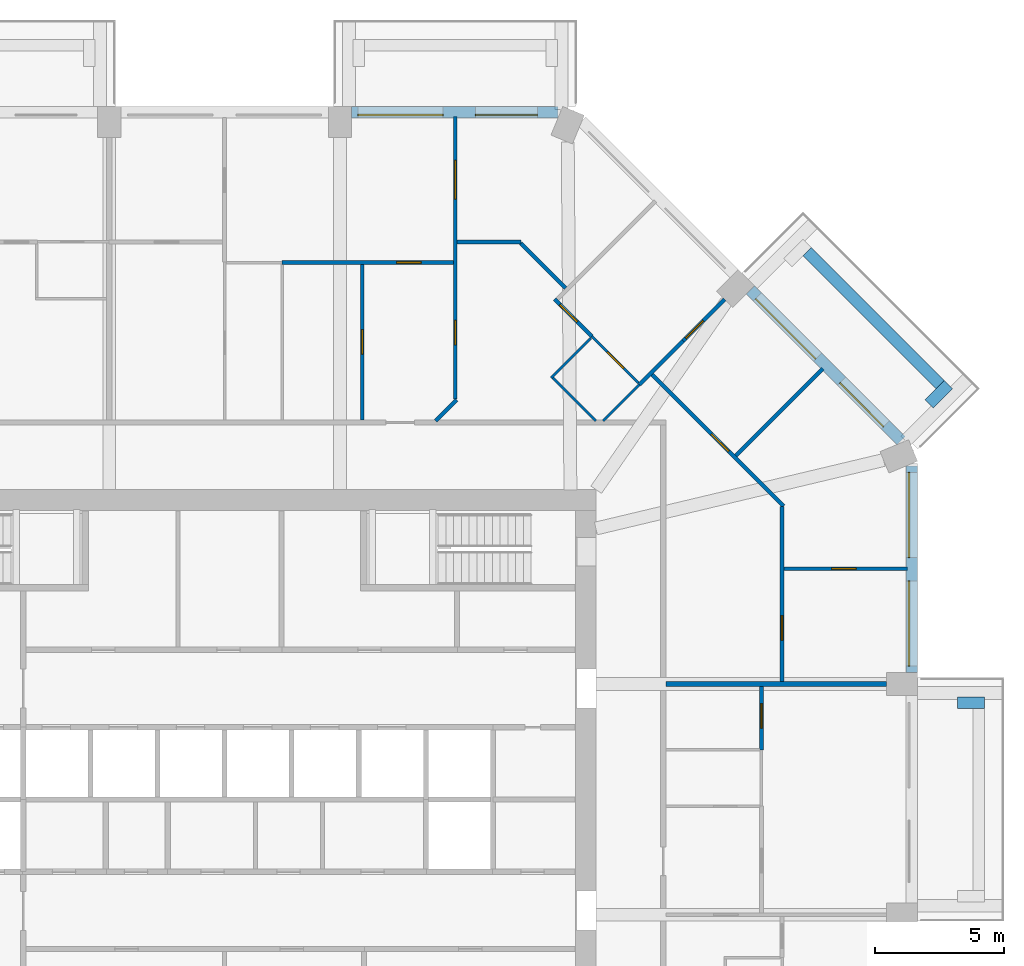
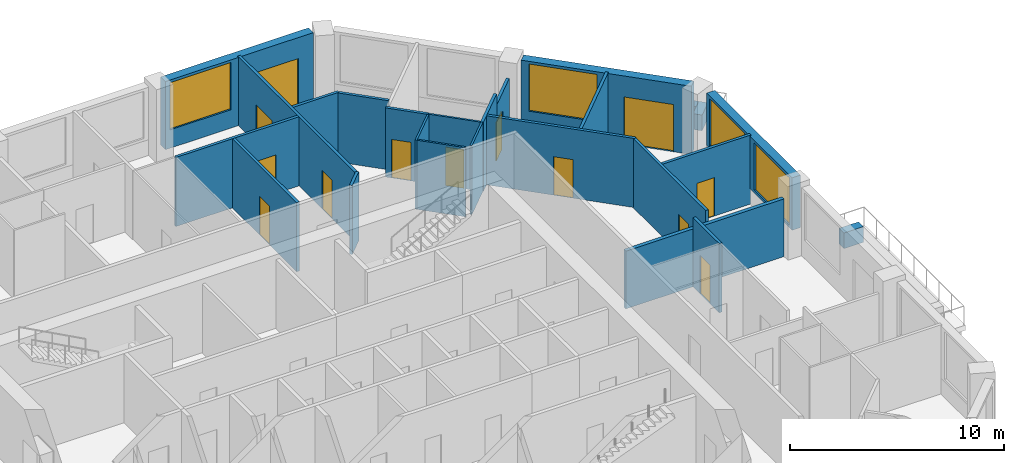
# One storey, part 10 of 13: 25 walls, 13 doors, 4 windows, 17 openings.
"""IFC4 building model written with IfcOpenShell, lengths in metres."""

from ifc_helpers import new_model, si_unit, direction, frame, frame_2d, origin, place, context, subcontext, project, spatial, rectangle, extrude, material, layer, layer_set, type_object, element, fill, save


model = new_model("IFC4")

# Units and contexts
model_context = context("Model", 3, precision=1e-05, world=origin(), true_north=direction((0.0, 1.0)))
body_context = subcontext(model_context, "Body", "Model", "MODEL_VIEW")
ifc_project = project(units=[si_unit("LENGTHUNIT", "METRE"), si_unit("AREAUNIT", "SQUARE_METRE"), si_unit("VOLUMEUNIT", "CUBIC_METRE"), si_unit("PLANEANGLEUNIT", "RADIAN"), si_unit("MASSUNIT", "GRAM", prefix="KILO")], contexts=[model_context])

# Site, building, storey
site_placement = place(None, origin())
site = spatial("IfcSite", under=ifc_project, at=site_placement, CompositionType="ELEMENT")
building_placement = place(site_placement, origin())
building = spatial("IfcBuilding", under=site, at=building_placement, Name="Msitu Wima Residences", CompositionType="ELEMENT")
storey_placement = place(building_placement, frame((0.0, 0.0, 114.89990234375)))
storey = spatial("IfcBuildingStorey", under=building, at=storey_placement, Name="L26", CompositionType="ELEMENT", Elevation=114.89990234375)

# Walls
ifc_material_1 = material(Name="Facing brick")
ifc_layer_1 = layer(ifc_material_1, 0.06494140625, Name="Facing brick")
ifc_material_2 = material(Name="Concrete C40/50", Category="concrete")
ifc_layer_2 = layer(ifc_material_2, 0.156005859375, Name="Concrete C40/50")
ifc_material_3 = material(Name="Waterproofing membrane")
ifc_layer_3 = layer(ifc_material_3, 0.00390625, Name="Waterproofing membrane")
ifc_material_4 = material(Name="Planting soil and planting")
ifc_layer_4 = layer(ifc_material_4, 0.22509765625, Name="Planting soil and planting")
ifc_layer_set_1 = layer_set([ifc_layer_1, ifc_layer_2, ifc_layer_3, ifc_layer_4], Name="Concrete C40/50")
wall_type_1 = type_object("IfcWallType", Name="Balcony planter PLANTER PL450", PredefinedType="USERDEFINED", material=ifc_layer_set_1)
wall_1_placement = place(storey_placement, frame((28.39990234375, 3.74365234375, 0.0), z_axis=(0.0, 0.0, 1.0), x_axis=(1.0, 0.0, 0.0)))
element("IfcWall", 1, at=wall_1_placement, inside=storey, type_object=wall_type_1, Name="Balcony planter E1 L26", ObjectType="PLANTER", PredefinedType="USERDEFINED", context=body_context, shape_type="SweptSolid", body=[
    extrude(rectangle(XDim=1.050048828125, YDim=0.449951171875, at=frame_2d((0.52490234375, 0.0))), origin(), (0.0, 0.0, 1.0), 0.900146484375),
])
wall_2_placement = place(storey_placement, frame((27.725830078125, 16.0751953125, 0.0), z_axis=(0.0, 0.0, 1.0), x_axis=(-0.707106781187, 0.707106781187, 0.0)))
element("IfcWall", 2, at=wall_2_placement, inside=storey, type_object=wall_type_1, Name="Balcony planter NE0 L26", ObjectType="PLANTER", PredefinedType="USERDEFINED", context=body_context, shape_type="SweptSolid", body=[
    extrude(rectangle(XDim=7.288330078125, YDim=0.449951171875, at=frame_2d((3.64404296875, 0.0))), origin(), (0.0, 0.0, 1.0), 0.900146484375),
])
wall_3_placement = place(storey_placement, frame((27.301513671875, 15.332763671875, 0.0), z_axis=(0.0, 0.0, 1.0), x_axis=(0.707106781187, 0.707106781187, 0.0)))
element("IfcWall", 3, at=wall_3_placement, inside=storey, type_object=wall_type_1, Name="Balcony planter NE0 L26", ObjectType="PLANTER", PredefinedType="USERDEFINED", context=body_context, shape_type="SweptSolid", body=[
    extrude(rectangle(XDim=1.050048828125, YDim=0.449951171875, at=frame_2d((0.52490234375, 0.0))), origin(), (0.0, 0.0, 1.0), 0.900146484375),
])

# Wall, openings, windows
ifc_material_5 = material(Name="Brick (red buff mix)", Category="masonry")
ifc_layer_5 = layer(ifc_material_5, 0.449951171875)
ifc_layer_set_2 = layer_set([ifc_layer_5], Name="Brick (red buff mix)")
wall_type_2 = type_object("IfcWallType", Name="Brick infill wall BW450", PredefinedType="SOLIDWALL", material=ifc_layer_set_2)
wall_4_placement = place(storey_placement, frame((26.625, 4.918701171875, 0.900146484375), z_axis=(0.0, 0.0, 1.0), x_axis=(0.0, 1.0, 0.0)))
wall_4 = element("IfcWall", 4, at=wall_4_placement, inside=storey, type_object=wall_type_2, Name="Brick infill wall L26 E2", PredefinedType="SOLIDWALL", context=body_context, shape_type="SweptSolid", body=[
    extrude(rectangle(XDim=8.0, YDim=0.449951171875, at=frame_2d((4.0, 0.0))), origin(), (0.0, 0.0, 1.0), 3.0),
])
opening_1_placement = place(wall_4_placement, frame((0.25, 0.0, 0.14990234375)))
opening_1 = element("IfcOpeningElement", 5, at=opening_1_placement, cuts=wall_4, Name="Opening W25-26.004", PredefinedType="OPENING", context=body_context, shape_type="SweptSolid", body=[
    extrude(rectangle(XDim=3.300048828125, YDim=2.699951171875, at=frame_2d((1.64990234375, 1.35009765625))), frame((0.0, 0.23486328125, 0.0), z_axis=(0.0, -1.0, 0.0), x_axis=(1.0, 0.0, 0.0)), (0.0, 0.0, 1.0), 0.469970703125),
])
opening_2_placement = place(wall_4_placement, frame((4.4501953125, 0.0, 0.14990234375)))
opening_2 = element("IfcOpeningElement", 6, at=opening_2_placement, cuts=wall_4, Name="Opening W25-26.005", PredefinedType="OPENING", context=body_context, shape_type="SweptSolid", body=[
    extrude(rectangle(XDim=3.300048828125, YDim=2.699951171875, at=frame_2d((1.64990234375, 1.35009765625))), frame((0.0, 0.23486328125, 0.0), z_axis=(0.0, -1.0, 0.0), x_axis=(1.0, 0.0, 0.0)), (0.0, 0.0, 1.0), 0.469970703125),
])
ifc_material_6 = material(Name="Anodised aluminium, bronze finish, clear low-emissivity double glazing", Category="aluminium")
window_type = type_object("IfcWindowType", Name="Window W3300x2700", PartitioningType="DOUBLE_PANEL_VERTICAL", PredefinedType="WINDOW", material=ifc_material_6)
window_1_placement = place(opening_1_placement, origin())
window_1 = element("IfcWindow", 7, at=window_1_placement, inside=storey, type_object=window_type, Name="Window L26 E2.1", OverallHeight=2.699951171875, OverallWidth=3.300048828125, PartitioningType="SINGLE_PANEL", PredefinedType="WINDOW", context=body_context, shape_type="SweptSolid", body=[
    extrude(rectangle(XDim=3.300048828125, YDim=2.699951171875, at=frame_2d((1.64990234375, 1.35009765625))), frame((0.0, 0.135009765625, 0.0), z_axis=(0.0, -1.0, 0.0), x_axis=(1.0, 0.0, 0.0)), (0.0, 0.0, 1.0), 0.06005859375),
])
fill(opening_1, window_1)
window_2_placement = place(opening_2_placement, origin())
window_2 = element("IfcWindow", 8, at=window_2_placement, inside=storey, type_object=window_type, Name="Window L26 E2.2", OverallHeight=2.699951171875, OverallWidth=3.300048828125, PartitioningType="SINGLE_PANEL", PredefinedType="WINDOW", context=body_context, shape_type="SweptSolid", body=[
    extrude(rectangle(XDim=3.300048828125, YDim=2.699951171875, at=frame_2d((1.64990234375, 1.35009765625))), frame((0.0, 0.135009765625, 0.0), z_axis=(0.0, -1.0, 0.0), x_axis=(1.0, 0.0, 0.0)), (0.0, 0.0, 1.0), 0.06005859375),
])
fill(opening_2, window_2)

# Wall, openings, door, window
wall_5_placement = place(storey_placement, frame((26.214599609375, 13.909423828125, 0.0), z_axis=(0.0, 0.0, 1.0), x_axis=(-0.707106781187, 0.707106781187, 0.0)))
wall_5 = element("IfcWall", 9, at=wall_5_placement, inside=storey, type_object=wall_type_2, Name="Brick infill wall L26 NE0", PredefinedType="SOLIDWALL", context=body_context, shape_type="SweptSolid", body=[
    extrude(rectangle(XDim=8.251220703125, YDim=0.449951171875, at=frame_2d((4.12548828125, 0.0))), origin(), (0.0, 0.0, 1.0), 3.900146484375),
])
opening_3_placement = place(wall_5_placement, frame((0.86279296875, 0.0, 0.0)))
opening_3 = element("IfcOpeningElement", 10, at=opening_3_placement, cuts=wall_5, Name="Opening D25-26.004", PredefinedType="OPENING", context=body_context, shape_type="SweptSolid", body=[
    extrude(rectangle(XDim=2.39990234375, YDim=2.699951171875, at=frame_2d((1.199951171875, 1.35009765625))), frame((0.0, 0.23486328125, 0.0), z_axis=(0.0, -1.0, 0.0), x_axis=(1.0, 0.0, 0.0)), (0.0, 0.0, 1.0), 0.469970703125),
])
opening_4_placement = place(wall_5_placement, frame((4.57568359375, 0.0, 1.050048828125)))
opening_4 = element("IfcOpeningElement", 11, at=opening_4_placement, cuts=wall_5, Name="Opening W25-26.010", PredefinedType="OPENING", context=body_context, shape_type="SweptSolid", body=[
    extrude(rectangle(XDim=3.300048828125, YDim=2.699951171875, at=frame_2d((1.64990234375, 1.35009765625))), frame((0.0, 0.23486328125, 0.0), z_axis=(0.0, -1.0, 0.0), x_axis=(1.0, 0.0, 0.0)), (0.0, 0.0, 1.0), 0.469970703125),
])
door_type_1 = type_object("IfcDoorType", Name="Balcony door D2400x2700", OperationType="SLIDING_TO_LEFT", PredefinedType="DOOR", material=ifc_material_6)
door_1_placement = place(opening_3_placement, origin())
door_1 = element("IfcDoor", 12, at=door_1_placement, inside=storey, type_object=door_type_1, Name="Balcony door L26 NE0", OperationType="SINGLE_SWING_LEFT", OverallHeight=2.699951171875, OverallWidth=2.39990234375, PredefinedType="DOOR", context=body_context, shape_type="SweptSolid", body=[
    extrude(rectangle(XDim=2.39990234375, YDim=2.699951171875, at=frame_2d((1.199951171875, 1.35009765625))), frame((0.0, 0.1298828125, 0.0), z_axis=(0.0, -1.0, 0.0), x_axis=(1.0, 0.0, 0.0)), (0.0, 0.0, 1.0), 0.050048828125),
])
fill(opening_3, door_1)
window_3_placement = place(opening_4_placement, origin())
window_3 = element("IfcWindow", 13, at=window_3_placement, inside=storey, type_object=window_type, Name="Window L26 NE0.2", OverallHeight=2.699951171875, OverallWidth=3.300048828125, PartitioningType="SINGLE_PANEL", PredefinedType="WINDOW", context=body_context, shape_type="SweptSolid", body=[
    extrude(rectangle(XDim=3.300048828125, YDim=2.699951171875, at=frame_2d((1.64990234375, 1.35009765625))), frame((0.0, 0.135009765625, 0.0), z_axis=(0.0, -1.0, 0.0), x_axis=(1.0, 0.0, 0.0)), (0.0, 0.0, 1.0), 0.06005859375),
])
fill(opening_4, window_3)

wall_6_placement = place(storey_placement, frame((12.918701171875, 26.625, 0.0), z_axis=(0.0, 0.0, 1.0), x_axis=(-1.0, 0.0, 0.0)))
wall_6 = element("IfcWall", 14, at=wall_6_placement, inside=storey, type_object=wall_type_2, Name="Brick infill wall L26 N0", PredefinedType="SOLIDWALL", context=body_context, shape_type="SweptSolid", body=[
    extrude(rectangle(XDim=8.0, YDim=0.449951171875, at=frame_2d((4.0, 0.0))), origin(), (0.0, 0.0, 1.0), 3.900146484375),
])
opening_5_placement = place(wall_6_placement, frame((0.800048828125, 0.0, 0.0)))
opening_5 = element("IfcOpeningElement", 15, at=opening_5_placement, cuts=wall_6, Name="Opening D25-26.002", PredefinedType="OPENING", context=body_context, shape_type="SweptSolid", body=[
    extrude(rectangle(XDim=2.39990234375, YDim=2.699951171875, at=frame_2d((1.199951171875, 1.35009765625))), frame((0.0, 0.23486328125, 0.0), z_axis=(0.0, -1.0, 0.0), x_axis=(1.0, 0.0, 0.0)), (0.0, 0.0, 1.0), 0.469970703125),
])
opening_6_placement = place(wall_6_placement, frame((4.4501953125, 0.0, 1.050048828125)))
opening_6 = element("IfcOpeningElement", 16, at=opening_6_placement, cuts=wall_6, Name="Opening W25-26.006", PredefinedType="OPENING", context=body_context, shape_type="SweptSolid", body=[
    extrude(rectangle(XDim=3.300048828125, YDim=2.699951171875, at=frame_2d((1.64990234375, 1.35009765625))), frame((0.0, 0.23486328125, 0.0), z_axis=(0.0, -1.0, 0.0), x_axis=(1.0, 0.0, 0.0)), (0.0, 0.0, 1.0), 0.469970703125),
])
door_2_placement = place(opening_5_placement, origin())
door_2 = element("IfcDoor", 17, at=door_2_placement, inside=storey, type_object=door_type_1, Name="Balcony door L26 N0", OperationType="SINGLE_SWING_LEFT", OverallHeight=2.699951171875, OverallWidth=2.39990234375, PredefinedType="DOOR", context=body_context, shape_type="SweptSolid", body=[
    extrude(rectangle(XDim=2.39990234375, YDim=2.699951171875, at=frame_2d((1.199951171875, 1.35009765625))), frame((0.0, 0.1298828125, 0.0), z_axis=(0.0, -1.0, 0.0), x_axis=(1.0, 0.0, 0.0)), (0.0, 0.0, 1.0), 0.050048828125),
])
fill(opening_5, door_2)
window_4_placement = place(opening_6_placement, origin())
window_4 = element("IfcWindow", 18, at=window_4_placement, inside=storey, type_object=window_type, Name="Window L26 N0.2", OverallHeight=2.699951171875, OverallWidth=3.300048828125, PartitioningType="SINGLE_PANEL", PredefinedType="WINDOW", context=body_context, shape_type="SweptSolid", body=[
    extrude(rectangle(XDim=3.300048828125, YDim=2.699951171875, at=frame_2d((1.64990234375, 1.35009765625))), frame((0.0, 0.135009765625, 0.0), z_axis=(0.0, -1.0, 0.0), x_axis=(1.0, 0.0, 0.0)), (0.0, 0.0, 1.0), 0.06005859375),
])
fill(opening_6, window_4)

# Wall, opening, door
ifc_material_7 = material(Name="Plaster")
ifc_layer_6 = layer(ifc_material_7, 0.011962890625, Name="Plaster")
ifc_material_8 = material(Name="Concrete blockwork", Category="masonry")
ifc_layer_7 = layer(ifc_material_8, 0.1259765625, Name="Concrete blockwork")
ifc_layer_8 = layer(ifc_material_7, 0.011962890625, Name="Plaster")
ifc_layer_set_3 = layer_set([ifc_layer_6, ifc_layer_7, ifc_layer_8], Name="Concrete blockwork")
wall_type_3 = type_object("IfcWallType", Name="Partition PW150", PredefinedType="PARTITIONING", material=ifc_layer_set_3)
wall_7_placement = place(storey_placement, frame((2.21728515625, 20.800048828125, 0.0), z_axis=(0.0, 0.0, 1.0), x_axis=(1.0, 0.0, 0.0)))
wall_7 = element("IfcWall", 19, at=wall_7_placement, inside=storey, type_object=wall_type_3, Name="Partition", PredefinedType="PARTITIONING", context=body_context, shape_type="SweptSolid", body=[
    extrude(rectangle(XDim=6.64501953125, YDim=0.14990234375, at=frame_2d((3.322509765625, 0.0))), origin(), (0.0, 0.0, 1.0), 3.9501953125),
])
opening_7_placement = place(wall_7_placement, frame((4.449951171875, 0.0, 0.0)))
opening_7 = element("IfcOpeningElement", 20, at=opening_7_placement, cuts=wall_7, Name="Opening D25-26.053", PredefinedType="OPENING", context=body_context, shape_type="SweptSolid", body=[
    extrude(rectangle(XDim=0.949951171875, YDim=2.199951171875, at=frame_2d((0.47509765625, 1.10009765625))), frame((0.0, 0.0849609375, 0.0), z_axis=(0.0, -1.0, 0.0), x_axis=(1.0, 0.0, 0.0)), (0.0, 0.0, 1.0), 0.169921875),
])
ifc_material_9 = material(Name="Timber flush door", Category="wood")
door_type_2 = type_object("IfcDoorType", Name="Room door D12 950x2200", OperationType="SINGLE_SWING_LEFT", PredefinedType="DOOR", material=ifc_material_9)
door_3_placement = place(opening_7_placement, origin())
door_3 = element("IfcDoor", 21, at=door_3_placement, inside=storey, type_object=door_type_2, Name="Room door", OperationType="SINGLE_SWING_RIGHT", OverallHeight=2.199951171875, OverallWidth=0.949951171875, PredefinedType="DOOR", context=body_context, shape_type="SweptSolid", body=[
    extrude(rectangle(XDim=0.949951171875, YDim=2.199951171875, at=frame_2d((0.47509765625, 1.10009765625))), frame((0.0, 0.02490234375, 0.0), z_axis=(0.0, -1.0, 0.0), x_axis=(1.0, 0.0, 0.0)), (0.0, 0.0, 1.0), 0.050048828125),
])
fill(opening_7, door_3)

wall_8_placement = place(storey_placement, frame((5.337158203125, 14.699951171875, 0.0), z_axis=(0.0, 0.0, 1.0), x_axis=(0.0, 1.0, 0.0)))
wall_8 = element("IfcWall", 22, at=wall_8_placement, inside=storey, type_object=wall_type_3, Name="Partition", PredefinedType="PARTITIONING", context=body_context, shape_type="SweptSolid", body=[
    extrude(rectangle(XDim=6.025146484375, YDim=0.14990234375, at=frame_2d((3.0126953125, 0.0))), origin(), (0.0, 0.0, 1.0), 3.9501953125),
])
opening_8_placement = place(wall_8_placement, frame((2.550048828125, 0.0, 0.0)))
opening_8 = element("IfcOpeningElement", 23, at=opening_8_placement, cuts=wall_8, Name="Opening D25-26.075", PredefinedType="OPENING", context=body_context, shape_type="SweptSolid", body=[
    extrude(rectangle(XDim=0.949951171875, YDim=2.199951171875, at=frame_2d((0.47509765625, 1.10009765625))), frame((0.0, 0.0849609375, 0.0), z_axis=(0.0, -1.0, 0.0), x_axis=(1.0, 0.0, 0.0)), (0.0, 0.0, 1.0), 0.169921875),
])
door_4_placement = place(opening_8_placement, origin())
door_4 = element("IfcDoor", 24, at=door_4_placement, inside=storey, type_object=door_type_2, Name="Room door", OperationType="SINGLE_SWING_RIGHT", OverallHeight=2.199951171875, OverallWidth=0.949951171875, PredefinedType="DOOR", context=body_context, shape_type="SweptSolid", body=[
    extrude(rectangle(XDim=0.949951171875, YDim=2.199951171875, at=frame_2d((0.47509765625, 1.10009765625))), frame((0.0, 0.02490234375, 0.0), z_axis=(0.0, -1.0, 0.0), x_axis=(1.0, 0.0, 0.0)), (0.0, 0.0, 1.0), 0.050048828125),
])
fill(opening_8, door_4)

# Wall
wall_9_placement = place(storey_placement, frame((8.173583984375, 14.670654296875, 0.0), z_axis=(0.0, 0.0, 1.0), x_axis=(0.707106781187, 0.707106781187, 0.0)))
element("IfcWall", 25, at=wall_9_placement, inside=storey, type_object=wall_type_3, Name="Partition", PredefinedType="PARTITIONING", context=body_context, shape_type="SweptSolid", body=[
    extrude(rectangle(XDim=1.155029296875, YDim=0.14990234375, at=frame_2d((0.57763671875, 0.0))), origin(), (0.0, 0.0, 1.0), 3.9501953125),
])

# Wall, openings, doors
wall_10_placement = place(storey_placement, frame((8.937255859375, 15.50927734375, 0.0), z_axis=(0.0, 0.0, 1.0), x_axis=(0.0, 1.0, 0.0)))
wall_10 = element("IfcWall", 26, at=wall_10_placement, inside=storey, type_object=wall_type_3, Name="Partition", PredefinedType="PARTITIONING", context=body_context, shape_type="SweptSolid", body=[
    extrude(rectangle(XDim=10.94580078125, YDim=0.14990234375, at=frame_2d((5.472900390625, 0.0))), origin(), (0.0, 0.0, 1.0), 3.9501953125),
])
opening_9_placement = place(wall_10_placement, frame((2.10009765625, 0.0, 0.0)))
opening_9 = element("IfcOpeningElement", 27, at=opening_9_placement, cuts=wall_10, Name="Opening D25-26.042", PredefinedType="OPENING", context=body_context, shape_type="SweptSolid", body=[
    extrude(rectangle(XDim=0.949951171875, YDim=2.199951171875, at=frame_2d((0.47509765625, 1.10009765625))), frame((0.0, 0.0849609375, 0.0), z_axis=(0.0, -1.0, 0.0), x_axis=(1.0, 0.0, 0.0)), (0.0, 0.0, 1.0), 0.169921875),
])
opening_10_placement = place(wall_10_placement, frame((7.75, 0.0, 0.0)))
opening_10 = element("IfcOpeningElement", 28, at=opening_10_placement, cuts=wall_10, Name="Opening D25-26.064", PredefinedType="OPENING", context=body_context, shape_type="SweptSolid", body=[
    extrude(rectangle(XDim=1.5, YDim=2.199951171875, at=frame_2d((0.75, 1.10009765625))), frame((0.0, 0.0849609375, 0.0), z_axis=(0.0, -1.0, 0.0), x_axis=(1.0, 0.0, 0.0)), (0.0, 0.0, 1.0), 0.169921875),
])
ifc_material_10 = material(Name="Timber double door", Category="wood")
door_type_3 = type_object("IfcDoorType", Name="Double door D04 1500x2200", OperationType="DOUBLE_DOOR_SINGLE_SWING", PredefinedType="DOOR", material=ifc_material_10)
door_5_placement = place(opening_10_placement, origin())
door_5 = element("IfcDoor", 29, at=door_5_placement, inside=storey, type_object=door_type_3, Name="Double door", OperationType="DOUBLE_DOOR_SINGLE_SWING", OverallHeight=2.199951171875, OverallWidth=1.5, PredefinedType="DOOR", context=body_context, shape_type="SweptSolid", body=[
    extrude(rectangle(XDim=1.5, YDim=2.199951171875, at=frame_2d((0.75, 1.10009765625))), frame((0.0, 0.02490234375, 0.0), z_axis=(0.0, -1.0, 0.0), x_axis=(1.0, 0.0, 0.0)), (0.0, 0.0, 1.0), 0.050048828125),
])
fill(opening_10, door_5)
door_6_placement = place(opening_9_placement, origin())
door_6 = element("IfcDoor", 30, at=door_6_placement, inside=storey, type_object=door_type_2, Name="Room door", OperationType="SINGLE_SWING_RIGHT", OverallHeight=2.199951171875, OverallWidth=0.949951171875, PredefinedType="DOOR", context=body_context, shape_type="SweptSolid", body=[
    extrude(rectangle(XDim=0.949951171875, YDim=2.199951171875, at=frame_2d((0.47509765625, 1.10009765625))), frame((0.0, 0.02490234375, 0.0), z_axis=(0.0, -1.0, 0.0), x_axis=(1.0, 0.0, 0.0)), (0.0, 0.0, 1.0), 0.050048828125),
])
fill(opening_9, door_6)

# Walls
wall_11_placement = place(storey_placement, frame((9.01220703125, 21.60009765625, 0.0), z_axis=(0.0, 0.0, 1.0), x_axis=(1.0, 0.0, 0.0)))
element("IfcWall", 31, at=wall_11_placement, inside=storey, type_object=wall_type_3, Name="Partition", PredefinedType="PARTITIONING", context=body_context, shape_type="SweptSolid", body=[
    extrude(rectangle(XDim=2.48046875, YDim=0.14990234375, at=frame_2d((1.240234375, 0.0))), origin(), (0.0, 0.0, 1.0), 3.9501953125),
])
wall_12_placement = place(storey_placement, frame((11.470703125, 21.546875, 0.0), z_axis=(0.0, 0.0, 1.0), x_axis=(0.707106781187, -0.707106781187, 0.0)))
element("IfcWall", 32, at=wall_12_placement, inside=storey, type_object=wall_type_3, Name="Partition", PredefinedType="PARTITIONING", context=body_context, shape_type="SweptSolid", body=[
    extrude(rectangle(XDim=2.455810546875, YDim=0.14990234375, at=frame_2d((1.22802734375, 0.0))), origin(), (0.0, 0.0, 1.0), 3.9501953125),
])

# Wall, opening, door
wall_13_placement = place(storey_placement, frame((12.782958984375, 19.38623046875, 0.0), z_axis=(0.0, 0.0, 1.0), x_axis=(0.707106781187, -0.707106781187, 0.0)))
wall_13 = element("IfcWall", 33, at=wall_13_placement, inside=storey, type_object=wall_type_3, Name="Partition", PredefinedType="PARTITIONING", context=body_context, shape_type="SweptSolid", body=[
    extrude(rectangle(XDim=2.049072265625, YDim=0.14990234375, at=frame_2d((1.0244140625, 0.0))), origin(), (0.0, 0.0, 1.0), 3.9501953125),
])
opening_11_placement = place(wall_13_placement, frame((0.300048828125, 0.0, 0.0)))
opening_11 = element("IfcOpeningElement", 34, at=opening_11_placement, cuts=wall_13, Name="Opening D25-26.086", PredefinedType="OPENING", context=body_context, shape_type="SweptSolid", body=[
    extrude(rectangle(XDim=0.949951171875, YDim=2.199951171875, at=frame_2d((0.47509765625, 1.10009765625))), frame((0.0, 0.0849609375, 0.0), z_axis=(0.0, -1.0, 0.0), x_axis=(1.0, 0.0, 0.0)), (0.0, 0.0, 1.0), 0.169921875),
])
door_7_placement = place(opening_11_placement, origin())
door_7 = element("IfcDoor", 35, at=door_7_placement, inside=storey, type_object=door_type_2, Name="Room door", OperationType="SINGLE_SWING_LEFT", OverallHeight=2.199951171875, OverallWidth=0.949951171875, PredefinedType="DOOR", context=body_context, shape_type="SweptSolid", body=[
    extrude(rectangle(XDim=0.949951171875, YDim=2.199951171875, at=frame_2d((0.47509765625, 1.10009765625))), frame((0.0, 0.02490234375, 0.0), z_axis=(0.0, -1.0, 0.0), x_axis=(1.0, 0.0, 0.0)), (0.0, 0.0, 1.0), 0.050048828125),
])
fill(opening_11, door_7)

# Wall
wall_14_placement = place(storey_placement, frame((16.0703125, 16.0703125, 0.0), z_axis=(0.0, 0.0, 1.0), x_axis=(0.707106781187, 0.707106781187, 0.0)))
element("IfcWall", 36, at=wall_14_placement, inside=storey, type_object=wall_type_3, Name="Partition", PredefinedType="PARTITIONING", context=body_context, shape_type="SweptSolid", body=[
    extrude(rectangle(XDim=2.400390625, YDim=0.14990234375, at=frame_2d((1.2001953125, 0.0))), origin(), (0.0, 0.0, 1.0), 3.9501953125),
])

# Wall, opening, door
wall_15_placement = place(storey_placement, frame((17.767578125, 17.767578125, 0.0), z_axis=(0.0, 0.0, 1.0), x_axis=(0.707106781187, 0.707106781187, 0.0)))
wall_15 = element("IfcWall", 37, at=wall_15_placement, inside=storey, type_object=wall_type_3, Name="Partition", PredefinedType="PARTITIONING", context=body_context, shape_type="SweptSolid", body=[
    extrude(rectangle(XDim=2.269775390625, YDim=0.14990234375, at=frame_2d((1.134765625, 0.0))), origin(), (0.0, 0.0, 1.0), 3.300048828125),
])
opening_12_placement = place(wall_15_placement, frame((0.14990234375, 0.0, 0.0)))
opening_12 = element("IfcOpeningElement", 38, at=opening_12_placement, cuts=wall_15, Name="Opening D25-26.043", PredefinedType="OPENING", context=body_context, shape_type="SweptSolid", body=[
    extrude(rectangle(XDim=0.949951171875, YDim=2.199951171875, at=frame_2d((0.47509765625, 1.10009765625))), frame((0.0, 0.0849609375, 0.0), z_axis=(0.0, -1.0, 0.0), x_axis=(1.0, 0.0, 0.0)), (0.0, 0.0, 1.0), 0.169921875),
])
door_8_placement = place(opening_12_placement, origin())
door_8 = element("IfcDoor", 39, at=door_8_placement, inside=storey, type_object=door_type_2, Name="Room door", OperationType="SINGLE_SWING_RIGHT", OverallHeight=2.199951171875, OverallWidth=0.949951171875, PredefinedType="DOOR", context=body_context, shape_type="SweptSolid", body=[
    extrude(rectangle(XDim=0.949951171875, YDim=2.199951171875, at=frame_2d((0.47509765625, 1.10009765625))), frame((0.0, 0.02490234375, 0.0), z_axis=(0.0, -1.0, 0.0), x_axis=(1.0, 0.0, 0.0)), (0.0, 0.0, 1.0), 0.050048828125),
])
fill(opening_12, door_8)

wall_16_placement = place(storey_placement, frame((16.561767578125, 16.455810546875, 0.0), z_axis=(0.0, 0.0, 1.0), x_axis=(0.707123735134, -0.707089826832, 0.0)))
wall_16 = element("IfcWall", 40, at=wall_16_placement, inside=storey, type_object=wall_type_3, Name="Partition", PredefinedType="PARTITIONING", context=body_context, shape_type="SweptSolid", body=[
    extrude(rectangle(XDim=7.199951171875, YDim=0.14990234375, at=frame_2d((3.60009765625, 0.0))), origin(), (0.0, 0.0, 1.0), 3.9501953125),
])
opening_13_placement = place(wall_16_placement, frame((3.25, 0.0, 0.0)))
opening_13 = element("IfcOpeningElement", 41, at=opening_13_placement, cuts=wall_16, Name="Opening D25-26.044", PredefinedType="OPENING", context=body_context, shape_type="SweptSolid", body=[
    extrude(rectangle(XDim=0.949951171875, YDim=2.199951171875, at=frame_2d((0.47509765625, 1.10009765625))), frame((0.0, 0.0849609375, 0.0), z_axis=(0.0, -1.0, 0.0), x_axis=(1.0, 0.0, 0.0)), (0.0, 0.0, 1.0), 0.169921875),
])
door_9_placement = place(opening_13_placement, origin())
door_9 = element("IfcDoor", 42, at=door_9_placement, inside=storey, type_object=door_type_2, Name="Room door", OperationType="SINGLE_SWING_RIGHT", OverallHeight=2.199951171875, OverallWidth=0.949951171875, PredefinedType="DOOR", context=body_context, shape_type="SweptSolid", body=[
    extrude(rectangle(XDim=0.949951171875, YDim=2.199951171875, at=frame_2d((0.47509765625, 1.10009765625))), frame((0.0, 0.02490234375, 0.0), z_axis=(0.0, -1.0, 0.0), x_axis=(1.0, 0.0, 0.0)), (0.0, 0.0, 1.0), 0.050048828125),
])
fill(opening_13, door_9)

# Wall
wall_17_placement = place(storey_placement, frame((19.810302734375, 13.313232421875, 0.0), z_axis=(0.0, 0.0, 1.0), x_axis=(0.707106781187, 0.707106781187, 0.0)))
element("IfcWall", 43, at=wall_17_placement, inside=storey, type_object=wall_type_3, Name="Partition", PredefinedType="PARTITIONING", context=body_context, shape_type="SweptSolid", body=[
    extrude(rectangle(XDim=4.7802734375, YDim=0.14990234375, at=frame_2d((2.39013671875, 0.0))), origin(), (0.0, 0.0, 1.0), 3.9501953125),
])

# Wall, opening, door
wall_18_placement = place(storey_placement, frame((20.800048828125, 1.911376953125, 0.0), z_axis=(0.0, 0.0, 1.0), x_axis=(0.0, 1.0, 0.0)))
wall_18 = element("IfcWall", 44, at=wall_18_placement, inside=storey, type_object=wall_type_3, Name="Partition", PredefinedType="PARTITIONING", context=body_context, shape_type="SweptSolid", body=[
    extrude(rectangle(XDim=2.457275390625, YDim=0.14990234375, at=frame_2d((1.228515625, 0.0))), origin(), (0.0, 0.0, 1.0), 3.9501953125),
])
opening_14_placement = place(wall_18_placement, frame((0.85009765625, 0.0, 0.0)))
opening_14 = element("IfcOpeningElement", 45, at=opening_14_placement, cuts=wall_18, Name="Opening D25-26.090", PredefinedType="OPENING", context=body_context, shape_type="SweptSolid", body=[
    extrude(rectangle(XDim=0.949951171875, YDim=2.199951171875, at=frame_2d((0.47509765625, 1.10009765625))), frame((0.0, 0.0849609375, 0.0), z_axis=(0.0, -1.0, 0.0), x_axis=(1.0, 0.0, 0.0)), (0.0, 0.0, 1.0), 0.169921875),
])
door_10_placement = place(opening_14_placement, origin())
door_10 = element("IfcDoor", 46, at=door_10_placement, inside=storey, type_object=door_type_2, Name="Room door", OperationType="SINGLE_SWING_LEFT", OverallHeight=2.199951171875, OverallWidth=0.949951171875, PredefinedType="DOOR", context=body_context, shape_type="SweptSolid", body=[
    extrude(rectangle(XDim=0.949951171875, YDim=2.199951171875, at=frame_2d((0.47509765625, 1.10009765625))), frame((0.0, 0.02490234375, 0.0), z_axis=(0.0, -1.0, 0.0), x_axis=(1.0, 0.0, 0.0)), (0.0, 0.0, 1.0), 0.050048828125),
])
fill(opening_14, door_10)

wall_19_placement = place(storey_placement, frame((21.60009765625, 4.568603515625, 0.0), z_axis=(0.0, 0.0, 1.0), x_axis=(0.0, 1.0, 0.0)))
wall_19 = element("IfcWall", 47, at=wall_19_placement, inside=storey, type_object=wall_type_3, Name="Partition", PredefinedType="PARTITIONING", context=body_context, shape_type="SweptSolid", body=[
    extrude(rectangle(XDim=6.774169921875, YDim=0.14990234375, at=frame_2d((3.38720703125, 0.0))), origin(), (0.0, 0.0, 1.0), 3.9501953125),
])
opening_15_placement = place(wall_19_placement, frame((1.60009765625, 0.0, 0.0)))
opening_15 = element("IfcOpeningElement", 48, at=opening_15_placement, cuts=wall_19, Name="Opening D25-26.045", PredefinedType="OPENING", context=body_context, shape_type="SweptSolid", body=[
    extrude(rectangle(XDim=0.949951171875, YDim=2.199951171875, at=frame_2d((0.47509765625, 1.10009765625))), frame((0.0, 0.0849609375, 0.0), z_axis=(0.0, -1.0, 0.0), x_axis=(1.0, 0.0, 0.0)), (0.0, 0.0, 1.0), 0.169921875),
])
door_11_placement = place(opening_15_placement, origin())
door_11 = element("IfcDoor", 49, at=door_11_placement, inside=storey, type_object=door_type_2, Name="Room door", OperationType="SINGLE_SWING_RIGHT", OverallHeight=2.199951171875, OverallWidth=0.949951171875, PredefinedType="DOOR", context=body_context, shape_type="SweptSolid", body=[
    extrude(rectangle(XDim=0.949951171875, YDim=2.199951171875, at=frame_2d((0.47509765625, 1.10009765625))), frame((0.0, 0.02490234375, 0.0), z_axis=(0.0, -1.0, 0.0), x_axis=(1.0, 0.0, 0.0)), (0.0, 0.0, 1.0), 0.050048828125),
])
fill(opening_15, door_11)

wall_20_placement = place(storey_placement, frame((21.675048828125, 8.937255859375, 0.0), z_axis=(0.0, 0.0, 1.0), x_axis=(1.0, 0.0, 0.0)))
wall_20 = element("IfcWall", 50, at=wall_20_placement, inside=storey, type_object=wall_type_3, Name="Partition", PredefinedType="PARTITIONING", context=body_context, shape_type="SweptSolid", body=[
    extrude(rectangle(XDim=4.780029296875, YDim=0.14990234375, at=frame_2d((2.39013671875, 0.0))), origin(), (0.0, 0.0, 1.0), 3.9501953125),
])
opening_16_placement = place(wall_20_placement, frame((1.85009765625, 0.0, 0.0)))
opening_16 = element("IfcOpeningElement", 51, at=opening_16_placement, cuts=wall_20, Name="Opening D25-26.046", PredefinedType="OPENING", context=body_context, shape_type="SweptSolid", body=[
    extrude(rectangle(XDim=0.949951171875, YDim=2.199951171875, at=frame_2d((0.47509765625, 1.10009765625))), frame((0.0, 0.0849609375, 0.0), z_axis=(0.0, -1.0, 0.0), x_axis=(1.0, 0.0, 0.0)), (0.0, 0.0, 1.0), 0.169921875),
])
door_12_placement = place(opening_16_placement, origin())
door_12 = element("IfcDoor", 52, at=door_12_placement, inside=storey, type_object=door_type_2, Name="Room door", OperationType="SINGLE_SWING_LEFT", OverallHeight=2.199951171875, OverallWidth=0.949951171875, PredefinedType="DOOR", context=body_context, shape_type="SweptSolid", body=[
    extrude(rectangle(XDim=0.949951171875, YDim=2.199951171875, at=frame_2d((0.47509765625, 1.10009765625))), frame((0.0, 0.02490234375, 0.0), z_axis=(0.0, -1.0, 0.0), x_axis=(1.0, 0.0, 0.0)), (0.0, 0.0, 1.0), 0.050048828125),
])
fill(opening_16, door_12)

# Walls
ifc_layer_9 = layer(ifc_material_7, 0.011962890625, Name="Plaster")
ifc_material_11 = material(Name="Dense concrete blockwork", Category="masonry")
ifc_layer_10 = layer(ifc_material_11, 0.176025390625, Name="Dense concrete blockwork")
ifc_layer_11 = layer(ifc_material_7, 0.011962890625, Name="Plaster")
ifc_layer_set_4 = layer_set([ifc_layer_9, ifc_layer_10, ifc_layer_11], Name="Dense concrete blockwork")
wall_type_4 = type_object("IfcWallType", Name="Party wall PW200", PredefinedType="PARTITIONING", material=ifc_layer_set_4)
wall_21_placement = place(storey_placement, frame((17.10009765625, 4.46875, 0.0), z_axis=(0.0, 0.0, 1.0), x_axis=(1.0, 0.0, 0.0)))
element("IfcWall", 53, at=wall_21_placement, inside=storey, type_object=wall_type_4, Name="Party wall", PredefinedType="PARTITIONING", context=body_context, shape_type="SweptSolid", body=[
    extrude(rectangle(XDim=8.5498046875, YDim=0.199951171875, at=frame_2d((4.27490234375, 0.0))), origin(), (0.0, 0.0, 1.0), 3.300048828125),
])
ifc_material_12 = material(Name="Ceramic tiles")
ifc_layer_12 = layer(ifc_material_12, 0.008056640625, Name="Ceramic tiles")
ifc_material_13 = material(Name="Moisture-resistant board")
ifc_layer_13 = layer(ifc_material_13, 0.012451171875, Name="Moisture-resistant board")
ifc_material_14 = material(Name="Light-gauge stud framing with mineral wool")
ifc_layer_14 = layer(ifc_material_14, 0.06689453125, Name="Light-gauge stud framing with mineral wool")
ifc_layer_15 = layer(ifc_material_13, 0.012451171875, Name="Moisture-resistant board")
ifc_layer_set_5 = layer_set([ifc_layer_12, ifc_layer_13, ifc_layer_14, ifc_layer_15], Name="Light-gauge stud framing with mineral wool")
wall_type_5 = type_object("IfcWallType", Name="Wet wall PW100", PredefinedType="PARTITIONING", material=ifc_layer_set_5)
wall_22_placement = place(storey_placement, frame((12.655029296875, 16.33203125, 0.0), z_axis=(0.0, 0.0, 1.0), x_axis=(0.707106781187, 0.707106781187, 0.0)))
element("IfcWall", 54, at=wall_22_placement, inside=storey, type_object=wall_type_5, Name="Wet wall", PredefinedType="PARTITIONING", context=body_context, shape_type="SweptSolid", body=[
    extrude(rectangle(XDim=2.17529296875, YDim=0.10009765625, at=frame_2d((1.087646484375, 0.0))), origin(), (0.0, 0.0, 1.0), 3.9501953125),
])
wall_23_placement = place(storey_placement, frame((12.725830078125, 16.33203125, 0.0), z_axis=(0.0, 0.0, 1.0), x_axis=(0.707106781187, -0.707106781187, 0.0)))
element("IfcWall", 55, at=wall_23_placement, inside=storey, type_object=wall_type_5, Name="Wet wall", PredefinedType="PARTITIONING", context=body_context, shape_type="SweptSolid", body=[
    extrude(rectangle(XDim=2.349609375, YDim=0.10009765625, at=frame_2d((1.1748046875, 0.0))), origin(), (0.0, 0.0, 1.0), 3.9501953125),
])

# Wall, opening, door
wall_24_placement = place(storey_placement, frame((14.23193359375, 17.937255859375, 0.0), z_axis=(0.0, 0.0, 1.0), x_axis=(0.707106781187, -0.707106781187, 0.0)))
wall_24 = element("IfcWall", 56, at=wall_24_placement, inside=storey, type_object=wall_type_5, Name="Wet wall", PredefinedType="PARTITIONING", context=body_context, shape_type="SweptSolid", body=[
    extrude(rectangle(XDim=2.544921875, YDim=0.10009765625, at=frame_2d((1.2724609375, 0.0))), origin(), (0.0, 0.0, 1.0), 3.9501953125),
])
opening_17_placement = place(wall_24_placement, frame((0.85009765625, 0.0, 0.0)))
opening_17 = element("IfcOpeningElement", 57, at=opening_17_placement, cuts=wall_24, Name="Opening D25-26.091", PredefinedType="OPENING", context=body_context, shape_type="SweptSolid", body=[
    extrude(rectangle(XDim=0.89990234375, YDim=2.199951171875, at=frame_2d((0.449951171875, 1.10009765625))), frame((0.0, 0.06005859375, 0.0), z_axis=(0.0, -1.0, 0.0), x_axis=(1.0, 0.0, 0.0)), (0.0, 0.0, 1.0), 0.1201171875),
])
ifc_material_15 = material(Name="Timber flush door, moisture resistant", Category="wood")
door_type_4 = type_object("IfcDoorType", Name="Bathroom door D03 900x2200", OperationType="SINGLE_SWING_LEFT", PredefinedType="DOOR", material=ifc_material_15)
door_13_placement = place(opening_17_placement, origin())
door_13 = element("IfcDoor", 58, at=door_13_placement, inside=storey, type_object=door_type_4, Name="Bathroom door", OperationType="SINGLE_SWING_RIGHT", OverallHeight=2.199951171875, OverallWidth=0.89990234375, PredefinedType="DOOR", context=body_context, shape_type="SweptSolid", body=[
    extrude(rectangle(XDim=0.89990234375, YDim=2.199951171875, at=frame_2d((0.449951171875, 1.10009765625))), frame((0.0, 0.02490234375, 0.0), z_axis=(0.0, -1.0, 0.0), x_axis=(1.0, 0.0, 0.0)), (0.0, 0.0, 1.0), 0.050048828125),
])
fill(opening_17, door_13)

# Wall
wall_25_placement = place(storey_placement, frame((14.670654296875, 14.670654296875, 0.0), z_axis=(0.0, 0.0, 1.0), x_axis=(0.707106781187, 0.707106781187, 0.0)))
element("IfcWall", 59, at=wall_25_placement, inside=storey, type_object=wall_type_5, Name="Wet wall", PredefinedType="PARTITIONING", context=body_context, shape_type="SweptSolid", body=[
    extrude(rectangle(XDim=1.9794921875, YDim=0.10009765625, at=frame_2d((0.98974609375, 0.0))), origin(), (0.0, 0.0, 1.0), 3.9501953125),
])

save(model, "model.ifc")
